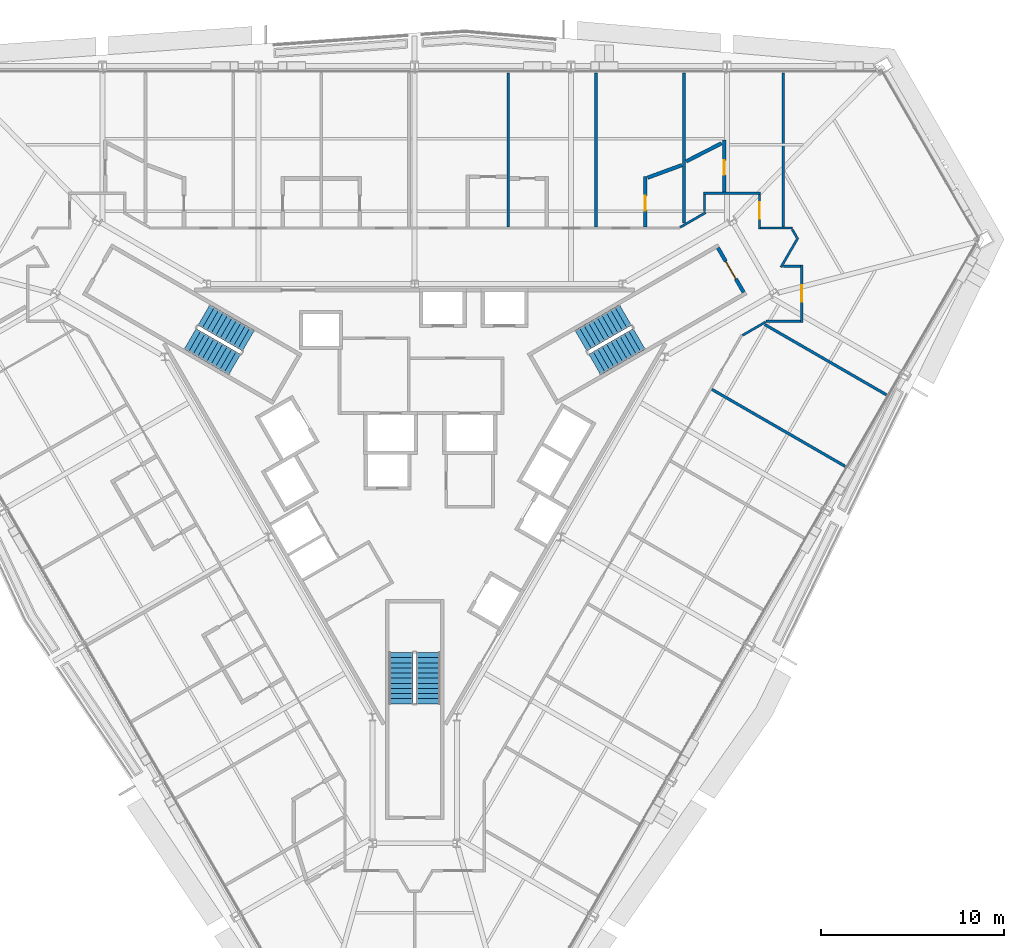
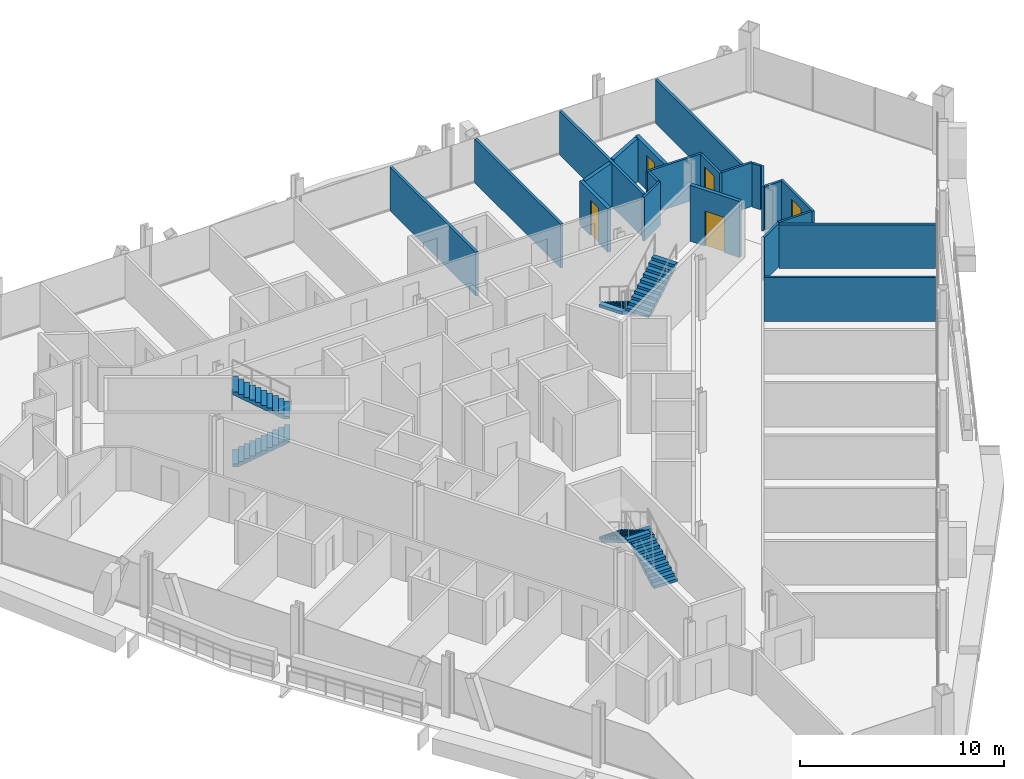
# One storey, part 16 of 18: 22 walls, 6 stair flights, 5 doors, 5 openings, 3 elements without a shape of their own.
"""IFC4 building model written with IfcOpenShell, lengths in metres."""

from ifc_helpers import new_model, si_unit, direction, frame, frame_2d, origin, place, context, subcontext, project, spatial, polyline, rectangle, outline, extrude, material, layer, layer_set, type_object, element, fill, aggregate, save


model = new_model("IFC4")

# Units and contexts
model_context = context("Model", 3, precision=1e-05, world=origin(), true_north=direction((0.0, 1.0)))
body_context = subcontext(model_context, "Body", "Model", "MODEL_VIEW")
ifc_project = project(units=[si_unit("LENGTHUNIT", "METRE"), si_unit("AREAUNIT", "SQUARE_METRE"), si_unit("VOLUMEUNIT", "CUBIC_METRE"), si_unit("PLANEANGLEUNIT", "RADIAN"), si_unit("MASSUNIT", "GRAM", prefix="KILO")], contexts=[model_context])

# Site, building, storey
site_placement = place(None, origin())
site = spatial("IfcSite", under=ifc_project, at=site_placement, CompositionType="ELEMENT")
building_placement = place(site_placement, origin())
building = spatial("IfcBuilding", under=site, at=building_placement, Name="Verrane Prism Tower", CompositionType="ELEMENT")
storey_placement = place(building_placement, frame((0.0, 0.0, 54.800048828125)))
storey = spatial("IfcBuildingStorey", under=building, at=storey_placement, Name="L11", CompositionType="ELEMENT", Elevation=54.800048828125)

# Wall, opening, door
ifc_material_1 = material(Name="Concrete C40/50", Category="concrete")
ifc_layer_1 = layer(ifc_material_1, 0.199951171875)
ifc_layer_set_1 = layer_set([ifc_layer_1], Name="CW-200 stair core wall concrete C40/50 3 h")
wall_type_1 = type_object("IfcWallType", Name="CW-200 stair core wall concrete C40/50 3 h", PredefinedType="PARTITIONING", material=ifc_layer_set_1)
wall_1_placement = place(storey_placement, frame((17.933837890625, 8.737548828125, 0.0), z_axis=(0.0, 0.0, 1.0), x_axis=(-0.49998411664, 0.866034573852, 0.0)))
wall_1 = element("IfcWall", 1, at=wall_1_placement, inside=storey, type_object=wall_type_1, Name="Stair 1 enclosure wall", PredefinedType="PARTITIONING", context=body_context, shape_type="SweptSolid", body=[
    extrude(rectangle(XDim=2.7998046875, YDim=0.199951171875, at=frame_2d((1.39990234375, 0.0))), origin(), (0.0, 0.0, 1.0), 3.349853515625),
])
opening_1_placement = place(wall_1_placement, frame((0.849853515625, 0.0, 0.0)))
opening_1 = element("IfcOpeningElement", 2, at=opening_1_placement, cuts=wall_1, Name="Opening D09500", PredefinedType="OPENING", context=body_context, shape_type="SweptSolid", body=[
    extrude(rectangle(XDim=1.10009765625, YDim=2.10009765625, at=frame_2d((0.550048828125, 1.050048828125))), frame((0.0, 0.10986328125, 0.0), z_axis=(0.0, -1.0, 0.0), x_axis=(1.0, 0.0, 0.0)), (0.0, 0.0, 1.0), 0.219970703125),
])
ifc_material_2 = material(Name="Timber veneered door leaf", Category="wood")
door_type_1 = type_object("IfcDoorType", Name="DR-1100x2100 FD90 single leaf stair", OperationType="NOTDEFINED", PredefinedType="DOOR", material=ifc_material_2)
door_1_placement = place(opening_1_placement, origin())
door_1 = element("IfcDoor", 3, at=door_1_placement, inside=storey, type_object=door_type_1, Name="Stair 1 door", OperationType="SINGLE_SWING_LEFT", OverallHeight=2.10009765625, OverallWidth=1.10009765625, PredefinedType="DOOR", context=body_context, shape_type="SweptSolid", body=[
    extrude(rectangle(XDim=1.10009765625, YDim=2.10009765625, at=frame_2d((0.550048828125, 1.050048828125))), frame((0.0, 0.02490234375, 0.0), z_axis=(0.0, -1.0, 0.0), x_axis=(1.0, 0.0, 0.0)), (0.0, 0.0, 1.0), 0.050048828125),
])
fill(opening_1, door_1)

# Walls
ifc_material_3 = material(Name="Gypsum board partition", Category="other")
ifc_layer_2 = layer(ifc_material_3, 0.125)
ifc_layer_set_2 = layer_set([ifc_layer_2], Name="PW-125 corridor wall 1 h")
wall_type_2 = type_object("IfcWallType", Name="PW-125 corridor wall 1 h", PredefinedType="PARTITIONING", material=ifc_layer_set_2)
wall_2_placement = place(storey_placement, frame((14.4755859375, 12.283447265625, 0.0), z_axis=(0.0, 0.0, 1.0), x_axis=(0.865974057503, 0.500088923824, 0.0)))
element("IfcWall", 4, at=wall_2_placement, inside=storey, type_object=wall_type_2, Name="Corridor wall 071", PredefinedType="PARTITIONING", context=body_context, shape_type="SweptSolid", body=[
    extrude(rectangle(XDim=1.595458984375, YDim=0.125, at=frame_2d((0.7978515625, 0.0))), origin(), (0.0, 0.0, 1.0), 2.613037109375),
])
wall_3_placement = place(storey_placement, frame((15.802978515625, 13.135009765625, 0.0), z_axis=(0.0, 0.0, 1.0), x_axis=(0.0, 1.0, 0.0)))
element("IfcWall", 5, at=wall_3_placement, inside=storey, type_object=wall_type_2, Name="Corridor wall 074", PredefinedType="PARTITIONING", context=body_context, shape_type="SweptSolid", body=[
    extrude(rectangle(XDim=0.93701171875, YDim=0.125, at=frame_2d((0.468505859375, 0.0))), origin(), (0.0, 0.0, 1.0), 2.613037109375),
])
wall_4_placement = place(storey_placement, frame((15.740478515625, 14.136962890625, 0.0), z_axis=(0.0, 0.0, 1.0), x_axis=(1.0, 0.0, 0.0)))
element("IfcWall", 6, at=wall_4_placement, inside=storey, type_object=wall_type_2, Name="Corridor wall 075", PredefinedType="PARTITIONING", context=body_context, shape_type="SweptSolid", body=[
    extrude(rectangle(XDim=3.119140625, YDim=0.125, at=frame_2d((1.5595703125, 0.0))), origin(), (0.0, 0.0, 1.0), 2.613037109375),
])
wall_5_placement = place(storey_placement, frame((17.87548828125, 6.39453125, 0.0), z_axis=(0.0, 0.0, 1.0), x_axis=(0.865894215669, 0.500227155672, 0.0)))
element("IfcWall", 7, at=wall_5_placement, inside=storey, type_object=wall_type_2, Name="Corridor wall 078", PredefinedType="PARTITIONING", context=body_context, shape_type="SweptSolid", body=[
    extrude(rectangle(XDim=1.451416015625, YDim=0.125, at=frame_2d((0.7255859375, 0.0))), origin(), (0.0, 0.0, 1.0), 2.613037109375),
])

# Wall, opening, door
wall_6_placement = place(storey_placement, frame((18.797119140625, 14.072021484375, 0.0), z_axis=(0.0, 0.0, 1.0), x_axis=(0.0, -1.0, 0.0)))
wall_6 = element("IfcWall", 8, at=wall_6_placement, inside=storey, type_object=wall_type_2, Name="Corridor wall 079", PredefinedType="PARTITIONING", context=body_context, shape_type="SweptSolid", body=[
    extrude(rectangle(XDim=1.8935546875, YDim=0.125, at=frame_2d((0.94677734375, 0.0))), origin(), (0.0, 0.0, 1.0), 2.613037109375),
])
opening_2_placement = place(wall_6_placement, frame((0.430908203125, 0.0, 0.0)))
opening_2 = element("IfcOpeningElement", 9, at=opening_2_placement, cuts=wall_6, Name="Opening D09010", PredefinedType="OPENING", context=body_context, shape_type="SweptSolid", body=[
    extrude(rectangle(XDim=0.89990234375, YDim=2.10009765625, at=frame_2d((0.449951171875, 1.050048828125))), frame((0.0, 0.072509765625, 0.0), z_axis=(0.0, -1.0, 0.0), x_axis=(1.0, 0.0, 0.0)), (0.0, 0.0, 1.0), 0.14501953125),
])
ifc_material_4 = material(Name="Timber veneered door leaf", Category="wood")
door_type_2 = type_object("IfcDoorType", Name="DR-900x2100 FD20 single leaf unit", OperationType="NOTDEFINED", PredefinedType="DOOR", material=ifc_material_4)
door_2_placement = place(opening_2_placement, origin())
door_2 = element("IfcDoor", 10, at=door_2_placement, inside=storey, type_object=door_type_2, Name="Guest Room door", OperationType="SINGLE_SWING_LEFT", OverallHeight=2.10009765625, OverallWidth=0.89990234375, PredefinedType="DOOR", context=body_context, shape_type="SweptSolid", body=[
    extrude(rectangle(XDim=0.89990234375, YDim=2.10009765625, at=frame_2d((0.449951171875, 1.050048828125))), frame((0.0, 0.02490234375, 0.0), z_axis=(0.0, -1.0, 0.0), x_axis=(1.0, 0.0, 0.0)), (0.0, 0.0, 1.0), 0.050048828125),
])
fill(opening_2, door_2)

# Walls
wall_7_placement = place(storey_placement, frame((18.862060546875, 12.240966796875, 0.0), z_axis=(0.0, 0.0, 1.0), x_axis=(1.0, 0.0, 0.0)))
element("IfcWall", 11, at=wall_7_placement, inside=storey, type_object=wall_type_2, Name="Corridor wall 080", PredefinedType="PARTITIONING", context=body_context, shape_type="SweptSolid", body=[
    extrude(rectangle(XDim=1.739501953125, YDim=0.125, at=frame_2d((0.86962890625, 0.0))), origin(), (0.0, 0.0, 1.0), 2.613037109375),
])
wall_8_placement = place(storey_placement, frame((19.1435546875, 7.1630859375, 0.0), z_axis=(0.0, 0.0, 1.0), x_axis=(1.0, 0.0, 0.0)))
element("IfcWall", 12, at=wall_8_placement, inside=storey, type_object=wall_type_2, Name="Corridor wall 082", PredefinedType="PARTITIONING", context=body_context, shape_type="SweptSolid", body=[
    extrude(rectangle(XDim=1.888427734375, YDim=0.125, at=frame_2d((0.9443359375, 0.0))), origin(), (0.0, 0.0, 1.0), 2.613037109375),
])
wall_9_placement = place(storey_placement, frame((19.9677734375, 10.102783203125, 0.0), z_axis=(0.0, 0.0, 1.0), x_axis=(0.500072997275, 0.865983254686, 0.0)))
element("IfcWall", 13, at=wall_9_placement, inside=storey, type_object=wall_type_2, Name="Corridor wall 083", PredefinedType="PARTITIONING", context=body_context, shape_type="SweptSolid", body=[
    extrude(rectangle(XDim=1.868896484375, YDim=0.125, at=frame_2d((0.9345703125, 0.0))), origin(), (0.0, 0.0, 1.0), 2.613037109375),
])
wall_10_placement = place(storey_placement, frame((20.10400390625, 10.156982421875, 0.0), z_axis=(0.0, 0.0, 1.0), x_axis=(1.0, 0.0, 0.0)))
element("IfcWall", 14, at=wall_10_placement, inside=storey, type_object=wall_type_2, Name="Corridor wall 084", PredefinedType="PARTITIONING", context=body_context, shape_type="SweptSolid", body=[
    extrude(rectangle(XDim=0.927978515625, YDim=0.125, at=frame_2d((0.4638671875, 0.0))), origin(), (0.0, 0.0, 1.0), 2.613037109375),
])
wall_11_placement = place(storey_placement, frame((20.58154296875, 12.16748046875, 0.0), z_axis=(0.0, 0.0, 1.0), x_axis=(0.500450775723, -0.86576499183, 0.0)))
element("IfcWall", 15, at=wall_11_placement, inside=storey, type_object=wall_type_2, Name="Corridor wall 086", PredefinedType="PARTITIONING", context=body_context, shape_type="SweptSolid", body=[
    extrude(rectangle(XDim=0.4931640625, YDim=0.125, at=frame_2d((0.24658203125, 0.0))), origin(), (0.0, 0.0, 1.0), 2.613037109375),
])

# Wall, opening, door
wall_12_placement = place(storey_placement, frame((21.096923828125, 10.219482421875, 0.0), z_axis=(0.0, 0.0, 1.0), x_axis=(0.0, -1.0, 0.0)))
wall_12 = element("IfcWall", 16, at=wall_12_placement, inside=storey, type_object=wall_type_2, Name="Corridor wall 087", PredefinedType="PARTITIONING", context=body_context, shape_type="SweptSolid", body=[
    extrude(rectangle(XDim=3.118896484375, YDim=0.125, at=frame_2d((1.5595703125, 0.0))), origin(), (0.0, 0.0, 1.0), 2.613037109375),
])
opening_3_placement = place(wall_12_placement, frame((1.1064453125, 0.0, 0.0)))
opening_3 = element("IfcOpeningElement", 17, at=opening_3_placement, cuts=wall_12, Name="Opening D09009", PredefinedType="OPENING", context=body_context, shape_type="SweptSolid", body=[
    extrude(rectangle(XDim=0.89990234375, YDim=2.10009765625, at=frame_2d((0.449951171875, 1.050048828125))), frame((0.0, 0.072509765625, 0.0), z_axis=(0.0, -1.0, 0.0), x_axis=(1.0, 0.0, 0.0)), (0.0, 0.0, 1.0), 0.14501953125),
])
ifc_material_5 = material(Name="Timber veneered door leaf", Category="wood")
door_type_3 = type_object("IfcDoorType", Name="DR-900x2100 single leaf unit", OperationType="NOTDEFINED", PredefinedType="DOOR", material=ifc_material_5)
door_3_placement = place(opening_3_placement, origin())
door_3 = element("IfcDoor", 18, at=door_3_placement, inside=storey, type_object=door_type_3, Name="Study door", OperationType="SINGLE_SWING_RIGHT", OverallHeight=2.10009765625, OverallWidth=0.89990234375, PredefinedType="DOOR", context=body_context, shape_type="SweptSolid", body=[
    extrude(rectangle(XDim=0.89990234375, YDim=2.10009765625, at=frame_2d((0.449951171875, 1.050048828125))), frame((0.0, 0.02490234375, 0.0), z_axis=(0.0, -1.0, 0.0), x_axis=(1.0, 0.0, 0.0)), (0.0, 0.0, 1.0), 0.050048828125),
])
fill(opening_3, door_3)

# Walls
ifc_material_6 = material(Name="Gypsum board partition", Category="other")
ifc_layer_3 = layer(ifc_material_6, 0.14990234375)
ifc_layer_set_3 = layer_set([ifc_layer_3], Name="PW-150 demising wall 1 h")
wall_type_3 = type_object("IfcWallType", Name="PW-150 demising wall 1 h", PredefinedType="PARTITIONING", material=ifc_layer_set_3)
for number, where, z_axis, x_axis, name in (
    (19, (5.10009765625, 12.303466796875, 0.0), (0.0, 0.0, 1.0), (0.0, 1.0, 0.0), "Demising wall 061"),
    (20, (9.887939453125, 12.303466796875, 0.0), (0.0, 0.0, 1.0), (0.0, 1.0, 0.0), "Demising wall 066"),
):
    element("IfcWall", number, at=place(storey_placement, frame(where, z_axis=z_axis, x_axis=x_axis)), inside=storey, type_object=wall_type_3, Name=name, PredefinedType="PARTITIONING", context=body_context, shape_type="SweptSolid", body=[
        extrude(rectangle(XDim=8.3916015625, YDim=0.14990234375, at=frame_2d((4.19580078125, 0.0))), origin(), (0.0, 0.0, 1.0), 2.613037109375),
    ])
wall_13_placement = place(storey_placement, frame((14.676025390625, 12.514404296875, 0.0), z_axis=(0.0, 0.0, 1.0), x_axis=(0.0, 1.0, 0.0)))
element("IfcWall", 21, at=wall_13_placement, inside=storey, type_object=wall_type_3, Name="Demising wall 072", PredefinedType="PARTITIONING", context=body_context, shape_type="SweptSolid", body=[
    extrude(rectangle(XDim=8.1806640625, YDim=0.14990234375, at=frame_2d((4.09033203125, 0.0))), origin(), (0.0, 0.0, 1.0), 2.613037109375),
])
wall_14_placement = place(storey_placement, frame((16.202392578125, 3.447265625, 0.0), z_axis=(0.0, 0.0, 1.0), x_axis=(0.866047434595, -0.499961839574, 0.0)))
element("IfcWall", 22, at=wall_14_placement, inside=storey, type_object=wall_type_3, Name="Demising wall 076", PredefinedType="PARTITIONING", context=body_context, shape_type="SweptSolid", body=[
    extrude(rectangle(XDim=8.386962890625, YDim=0.14990234375, at=frame_2d((4.193359375, 0.0))), origin(), (0.0, 0.0, 1.0), 2.613037109375),
])
wall_15_placement = place(storey_placement, frame((19.087890625, 6.979248046875, 0.0), z_axis=(0.0, 0.0, 1.0), x_axis=(0.865990629129, -0.500060226633, 0.0)))
element("IfcWall", 23, at=wall_15_placement, inside=storey, type_object=wall_type_3, Name="Demising wall 081", PredefinedType="PARTITIONING", context=body_context, shape_type="SweptSolid", body=[
    extrude(rectangle(XDim=7.65380859375, YDim=0.14990234375, at=frame_2d((3.826904296875, 0.0))), origin(), (0.0, 0.0, 1.0), 2.613037109375),
])
wall_16_placement = place(storey_placement, frame((20.089111328125, 12.303466796875, 0.0), z_axis=(0.0, 0.0, 1.0), x_axis=(0.0, 1.0, 0.0)))
element("IfcWall", 24, at=wall_16_placement, inside=storey, type_object=wall_type_3, Name="Demising wall 085", PredefinedType="PARTITIONING", context=body_context, shape_type="SweptSolid", body=[
    extrude(rectangle(XDim=8.3916015625, YDim=0.14990234375, at=frame_2d((4.19580078125, 0.0))), origin(), (0.0, 0.0, 1.0), 2.613037109375),
])

# Wall, opening, door
ifc_material_7 = material(Name="Gypsum board partition", Category="other")
ifc_layer_4 = layer(ifc_material_7, 0.199951171875)
ifc_layer_set_4 = layer_set([ifc_layer_4], Name="PW-200 plumbing wall")
wall_type_4 = type_object("IfcWallType", Name="PW-200 plumbing wall", PredefinedType="PARTITIONING", material=ifc_layer_set_4)
wall_17_placement = place(storey_placement, frame((12.575927734375, 15.041015625, 0.0), z_axis=(0.0, 0.0, 1.0), x_axis=(0.0, -1.0, 0.0)))
wall_17 = element("IfcWall", 25, at=wall_17_placement, inside=storey, type_object=wall_type_4, Name="Plumbing wall 068", PredefinedType="PARTITIONING", context=body_context, shape_type="SweptSolid", body=[
    extrude(rectangle(XDim=2.737548828125, YDim=0.199951171875, at=frame_2d((1.36865234375, 0.0))), origin(), (0.0, 0.0, 1.0), 2.613037109375),
])
opening_4_placement = place(wall_17_placement, frame((1.050048828125, 0.0, 0.0)))
opening_4 = element("IfcOpeningElement", 26, at=opening_4_placement, cuts=wall_17, Name="Opening D09013", PredefinedType="OPENING", context=body_context, shape_type="SweptSolid", body=[
    extrude(rectangle(XDim=0.800048828125, YDim=2.10009765625, at=frame_2d((0.39990234375, 1.050048828125))), frame((0.0, 0.10986328125, 0.0), z_axis=(0.0, -1.0, 0.0), x_axis=(1.0, 0.0, 0.0)), (0.0, 0.0, 1.0), 0.219970703125),
])
ifc_material_8 = material(Name="Timber veneered door leaf", Category="wood")
door_type_4 = type_object("IfcDoorType", Name="DR-800x2100 single leaf bath", OperationType="NOTDEFINED", PredefinedType="DOOR", material=ifc_material_8)
door_4_placement = place(opening_4_placement, origin())
door_4 = element("IfcDoor", 27, at=door_4_placement, inside=storey, type_object=door_type_4, Name="En-Suite door", OperationType="SINGLE_SWING_RIGHT", OverallHeight=2.10009765625, OverallWidth=0.800048828125, PredefinedType="DOOR", context=body_context, shape_type="SweptSolid", body=[
    extrude(rectangle(XDim=0.800048828125, YDim=2.10009765625, at=frame_2d((0.39990234375, 1.050048828125))), frame((0.0, 0.02490234375, 0.0), z_axis=(0.0, -1.0, 0.0), x_axis=(1.0, 0.0, 0.0)), (0.0, 0.0, 1.0), 0.050048828125),
])
fill(opening_4, door_4)

# Walls
wall_18_placement = place(storey_placement, frame((12.697998046875, 14.98583984375, 0.0), z_axis=(0.0, 0.0, 1.0), x_axis=(0.938894816734, 0.344204188105, 0.0)))
element("IfcWall", 28, at=wall_18_placement, inside=storey, type_object=wall_type_4, Name="Plumbing wall 069", PredefinedType="PARTITIONING", context=body_context, shape_type="SweptSolid", body=[
    extrude(rectangle(XDim=1.990234375, YDim=0.199951171875, at=frame_2d((0.9951171875, 0.0))), origin(), (0.0, 0.0, 1.0), 2.613037109375),
])
wall_19_placement = place(storey_placement, frame((14.796630859375, 15.872802734375, 0.0), z_axis=(0.0, 0.0, 1.0), x_axis=(0.890181338078, 0.455606392995, 0.0)))
element("IfcWall", 29, at=wall_19_placement, inside=storey, type_object=wall_type_4, Name="Plumbing wall 073", PredefinedType="PARTITIONING", context=body_context, shape_type="SweptSolid", body=[
    extrude(rectangle(XDim=2.170654296875, YDim=0.199951171875, at=frame_2d((1.08544921875, 0.0))), origin(), (0.0, 0.0, 1.0), 2.613037109375),
])

# Wall, opening, door
wall_20_placement = place(storey_placement, frame((16.8759765625, 14.199462890625, 0.0), z_axis=(0.0, 0.0, 1.0), x_axis=(0.0, 1.0, 0.0)))
wall_20 = element("IfcWall", 30, at=wall_20_placement, inside=storey, type_object=wall_type_4, Name="Plumbing wall 077", PredefinedType="PARTITIONING", context=body_context, shape_type="SweptSolid", body=[
    extrude(rectangle(XDim=2.837646484375, YDim=0.199951171875, at=frame_2d((1.4189453125, 0.0))), origin(), (0.0, 0.0, 1.0), 2.613037109375),
])
opening_5_placement = place(wall_20_placement, frame((0.9375, 0.0, 0.0)))
opening_5 = element("IfcOpeningElement", 31, at=opening_5_placement, cuts=wall_20, Name="Opening D09011", PredefinedType="OPENING", context=body_context, shape_type="SweptSolid", body=[
    extrude(rectangle(XDim=0.800048828125, YDim=2.10009765625, at=frame_2d((0.39990234375, 1.050048828125))), frame((0.0, 0.10986328125, 0.0), z_axis=(0.0, -1.0, 0.0), x_axis=(1.0, 0.0, 0.0)), (0.0, 0.0, 1.0), 0.219970703125),
])
door_5_placement = place(opening_5_placement, origin())
door_5 = element("IfcDoor", 32, at=door_5_placement, inside=storey, type_object=door_type_4, Name="En-Suite door", OperationType="SINGLE_SWING_LEFT", OverallHeight=2.10009765625, OverallWidth=0.800048828125, PredefinedType="DOOR", context=body_context, shape_type="SweptSolid", body=[
    extrude(rectangle(XDim=0.800048828125, YDim=2.10009765625, at=frame_2d((0.39990234375, 1.050048828125))), frame((0.0, 0.02490234375, 0.0), z_axis=(0.0, -1.0, 0.0), x_axis=(1.0, 0.0, 0.0)), (0.0, 0.0, 1.0), 0.050048828125),
])
fill(opening_5, door_5)

# Stair, stair flights
ifc_material_9 = material(Name="Concrete C40/50", Category="concrete")
stair_type = type_object("IfcStairType", Name="Exit stair 1300 dog-leg precast concrete C40/50", PredefinedType="HALF_TURN_STAIR", material=ifc_material_9)
stair_1_placement = place(storey_placement, origin())
stair_1 = element("IfcStair", 33, at=stair_1_placement, inside=storey, type_object=stair_type, Name="Stair 1 L11", PredefinedType="HALF_TURN_STAIR")
ifc_material_10 = material(Name="Concrete C40/50", Category="concrete")
stair_flight_type = type_object("IfcStairFlightType", Name="Stair flight 1300 precast concrete C40/50", PredefinedType="STRAIGHT", material=ifc_material_10)
stair_flight_1_placement = place(storey_placement, frame((11.489501953125, 7.49951171875, 0.0), z_axis=(0.0, 0.0, 1.0), x_axis=(-0.866025403784, -0.5, 0.0)))
stair_flight_1 = element("IfcStairFlight", 34, at=stair_flight_1_placement, type_object=stair_flight_type, Name="Stair 1 flight 1", NumberOfRisers=11, NumberOfTreads=10, PredefinedType="STRAIGHT", RiserHeight=0.163636364, TreadLength=0.28, context=body_context, shape_type="SweptSolid", body=[
    extrude(outline(polyline([(0.0, 0.0), (0.0, 0.16357421875), (0.280029296875, 0.16357421875), (0.280029296875, 0.327392578125), (0.56005859375, 0.327392578125), (0.56005859375, 0.490966796875), (0.840087890625, 0.490966796875), (0.840087890625, 0.654541015625), (1.1201171875, 0.654541015625), (1.1201171875, 0.818115234375), (1.39990234375, 0.818115234375), (1.39990234375, 0.98193359375), (1.679931640625, 0.98193359375), (1.679931640625, 1.1455078125), (1.9599609375, 1.1455078125), (1.9599609375, 1.30908203125), (2.239990234375, 1.30908203125), (2.239990234375, 1.47265625), (2.52001953125, 1.47265625), (2.52001953125, 1.636474609375), (2.800048828125, 1.636474609375), (2.800048828125, 1.800048828125), (2.800048828125, 1.462646484375), (0.297119140625, 0.0), (0.0, 0.0)])), frame((0.0, 0.64990234375, 0.0), z_axis=(0.0, -1.0, 0.0), x_axis=(1.0, 0.0, 0.0)), (0.0, 0.0, 1.0), 1.300048828125),
])
stair_flight_2_placement = place(storey_placement, frame((9.814697265625, 4.800537109375, 1.800048828125), z_axis=(0.0, 0.0, 1.0), x_axis=(0.866025403784, 0.5, 0.0)))
stair_flight_2 = element("IfcStairFlight", 35, at=stair_flight_2_placement, type_object=stair_flight_type, Name="Stair 1 flight 2", NumberOfRisers=11, NumberOfTreads=10, PredefinedType="STRAIGHT", RiserHeight=0.163636364, TreadLength=0.28, context=body_context, shape_type="SweptSolid", body=[
    extrude(outline(polyline([(0.0, 0.0), (0.0, 0.16357421875), (0.280029296875, 0.16357421875), (0.280029296875, 0.327392578125), (0.56005859375, 0.327392578125), (0.56005859375, 0.490966796875), (0.840087890625, 0.490966796875), (0.840087890625, 0.654541015625), (1.1201171875, 0.654541015625), (1.1201171875, 0.818115234375), (1.39990234375, 0.818115234375), (1.39990234375, 0.98193359375), (1.679931640625, 0.98193359375), (1.679931640625, 1.1455078125), (1.9599609375, 1.1455078125), (1.9599609375, 1.30908203125), (2.239990234375, 1.30908203125), (2.239990234375, 1.47265625), (2.52001953125, 1.47265625), (2.52001953125, 1.636474609375), (2.800048828125, 1.636474609375), (2.800048828125, 1.800048828125), (2.800048828125, 1.462646484375), (0.297119140625, 0.0), (0.0, 0.0)])), frame((0.0, 0.64990234375, 0.0), z_axis=(0.0, -1.0, 0.0), x_axis=(1.0, 0.0, 0.0)), (0.0, 0.0, 1.0), 1.300048828125),
])
aggregate(stair_1, [stair_flight_1, stair_flight_2])

stair_2_placement = place(storey_placement, origin())
stair_2 = element("IfcStair", 36, at=stair_2_placement, inside=storey, type_object=stair_type, Name="Stair 2 L11", PredefinedType="HALF_TURN_STAIR")
stair_flight_3_placement = place(storey_placement, frame((-12.239501953125, 6.200439453125, 0.0), z_axis=(0.0, 0.0, 1.0), x_axis=(0.866025403784, -0.5, 0.0)))
stair_flight_3 = element("IfcStairFlight", 37, at=stair_flight_3_placement, type_object=stair_flight_type, Name="Stair 2 flight 1", NumberOfRisers=11, NumberOfTreads=10, PredefinedType="STRAIGHT", RiserHeight=0.163636364, TreadLength=0.28, context=body_context, shape_type="SweptSolid", body=[
    extrude(outline(polyline([(0.0, 0.0), (0.0, 0.16357421875), (0.280029296875, 0.16357421875), (0.280029296875, 0.327392578125), (0.56005859375, 0.327392578125), (0.56005859375, 0.490966796875), (0.840087890625, 0.490966796875), (0.840087890625, 0.654541015625), (1.1201171875, 0.654541015625), (1.1201171875, 0.818115234375), (1.39990234375, 0.818115234375), (1.39990234375, 0.98193359375), (1.679931640625, 0.98193359375), (1.679931640625, 1.1455078125), (1.9599609375, 1.1455078125), (1.9599609375, 1.30908203125), (2.239990234375, 1.30908203125), (2.239990234375, 1.47265625), (2.52001953125, 1.47265625), (2.52001953125, 1.636474609375), (2.800048828125, 1.636474609375), (2.800048828125, 1.800048828125), (2.800048828125, 1.462646484375), (0.297119140625, 0.0), (0.0, 0.0)])), frame((0.0, 0.64990234375, 0.0), z_axis=(0.0, -1.0, 0.0), x_axis=(1.0, 0.0, 0.0)), (0.0, 0.0, 1.0), 1.300048828125),
])
stair_flight_4_placement = place(storey_placement, frame((-9.064697265625, 6.099609375, 1.800048828125), z_axis=(0.0, 0.0, 1.0), x_axis=(-0.866025403784, 0.5, 0.0)))
stair_flight_4 = element("IfcStairFlight", 38, at=stair_flight_4_placement, type_object=stair_flight_type, Name="Stair 2 flight 2", NumberOfRisers=11, NumberOfTreads=10, PredefinedType="STRAIGHT", RiserHeight=0.163636364, TreadLength=0.28, context=body_context, shape_type="SweptSolid", body=[
    extrude(outline(polyline([(0.0, 0.0), (0.0, 0.16357421875), (0.280029296875, 0.16357421875), (0.280029296875, 0.327392578125), (0.56005859375, 0.327392578125), (0.56005859375, 0.490966796875), (0.840087890625, 0.490966796875), (0.840087890625, 0.654541015625), (1.1201171875, 0.654541015625), (1.1201171875, 0.818115234375), (1.39990234375, 0.818115234375), (1.39990234375, 0.98193359375), (1.679931640625, 0.98193359375), (1.679931640625, 1.1455078125), (1.9599609375, 1.1455078125), (1.9599609375, 1.30908203125), (2.239990234375, 1.30908203125), (2.239990234375, 1.47265625), (2.52001953125, 1.47265625), (2.52001953125, 1.636474609375), (2.800048828125, 1.636474609375), (2.800048828125, 1.800048828125), (2.800048828125, 1.462646484375), (0.297119140625, 0.0), (0.0, 0.0)])), frame((0.0, 0.64990234375, 0.0), z_axis=(0.0, -1.0, 0.0), x_axis=(1.0, 0.0, 0.0)), (0.0, 0.0, 1.0), 1.300048828125),
])
aggregate(stair_2, [stair_flight_3, stair_flight_4])

stair_3_placement = place(storey_placement, origin())
stair_3 = element("IfcStair", 39, at=stair_3_placement, inside=storey, type_object=stair_type, Name="Stair 3 L11", PredefinedType="HALF_TURN_STAIR")
stair_flight_5_placement = place(storey_placement, frame((0.75, -13.699951171875, 0.0), z_axis=(0.0, 0.0, 1.0), x_axis=(0.0, 1.0, 0.0)))
stair_flight_5 = element("IfcStairFlight", 40, at=stair_flight_5_placement, type_object=stair_flight_type, Name="Stair 3 flight 1", NumberOfRisers=11, NumberOfTreads=10, PredefinedType="STRAIGHT", RiserHeight=0.163636364, TreadLength=0.28, context=body_context, shape_type="SweptSolid", body=[
    extrude(outline(polyline([(0.0, 0.0), (0.0, 0.16357421875), (0.280029296875, 0.16357421875), (0.280029296875, 0.327392578125), (0.56005859375, 0.327392578125), (0.56005859375, 0.490966796875), (0.840087890625, 0.490966796875), (0.840087890625, 0.654541015625), (1.1201171875, 0.654541015625), (1.1201171875, 0.818115234375), (1.39990234375, 0.818115234375), (1.39990234375, 0.98193359375), (1.679931640625, 0.98193359375), (1.679931640625, 1.1455078125), (1.9599609375, 1.1455078125), (1.9599609375, 1.30908203125), (2.239990234375, 1.30908203125), (2.239990234375, 1.47265625), (2.52001953125, 1.47265625), (2.52001953125, 1.636474609375), (2.800048828125, 1.636474609375), (2.800048828125, 1.800048828125), (2.800048828125, 1.462646484375), (0.297119140625, 0.0), (0.0, 0.0)])), frame((0.0, 0.64990234375, 0.0), z_axis=(0.0, -1.0, 0.0), x_axis=(1.0, 0.0, 0.0)), (0.0, 0.0, 1.0), 1.300048828125),
])
stair_flight_6_placement = place(storey_placement, frame((-0.75, -10.89990234375, 1.800048828125), z_axis=(0.0, 0.0, 1.0), x_axis=(0.0, -1.0, 0.0)))
stair_flight_6 = element("IfcStairFlight", 41, at=stair_flight_6_placement, type_object=stair_flight_type, Name="Stair 3 flight 2", NumberOfRisers=11, NumberOfTreads=10, PredefinedType="STRAIGHT", RiserHeight=0.163636364, TreadLength=0.28, context=body_context, shape_type="SweptSolid", body=[
    extrude(outline(polyline([(0.0, 0.0), (0.0, 0.16357421875), (0.280029296875, 0.16357421875), (0.280029296875, 0.327392578125), (0.56005859375, 0.327392578125), (0.56005859375, 0.490966796875), (0.840087890625, 0.490966796875), (0.840087890625, 0.654541015625), (1.1201171875, 0.654541015625), (1.1201171875, 0.818115234375), (1.39990234375, 0.818115234375), (1.39990234375, 0.98193359375), (1.679931640625, 0.98193359375), (1.679931640625, 1.1455078125), (1.9599609375, 1.1455078125), (1.9599609375, 1.30908203125), (2.239990234375, 1.30908203125), (2.239990234375, 1.47265625), (2.52001953125, 1.47265625), (2.52001953125, 1.636474609375), (2.800048828125, 1.636474609375), (2.800048828125, 1.800048828125), (2.800048828125, 1.462646484375), (0.297119140625, 0.0), (0.0, 0.0)])), frame((0.0, 0.64990234375, 0.0), z_axis=(0.0, -1.0, 0.0), x_axis=(1.0, 0.0, 0.0)), (0.0, 0.0, 1.0), 1.300048828125),
])
aggregate(stair_3, [stair_flight_5, stair_flight_6])

save(model, "model.ifc")
